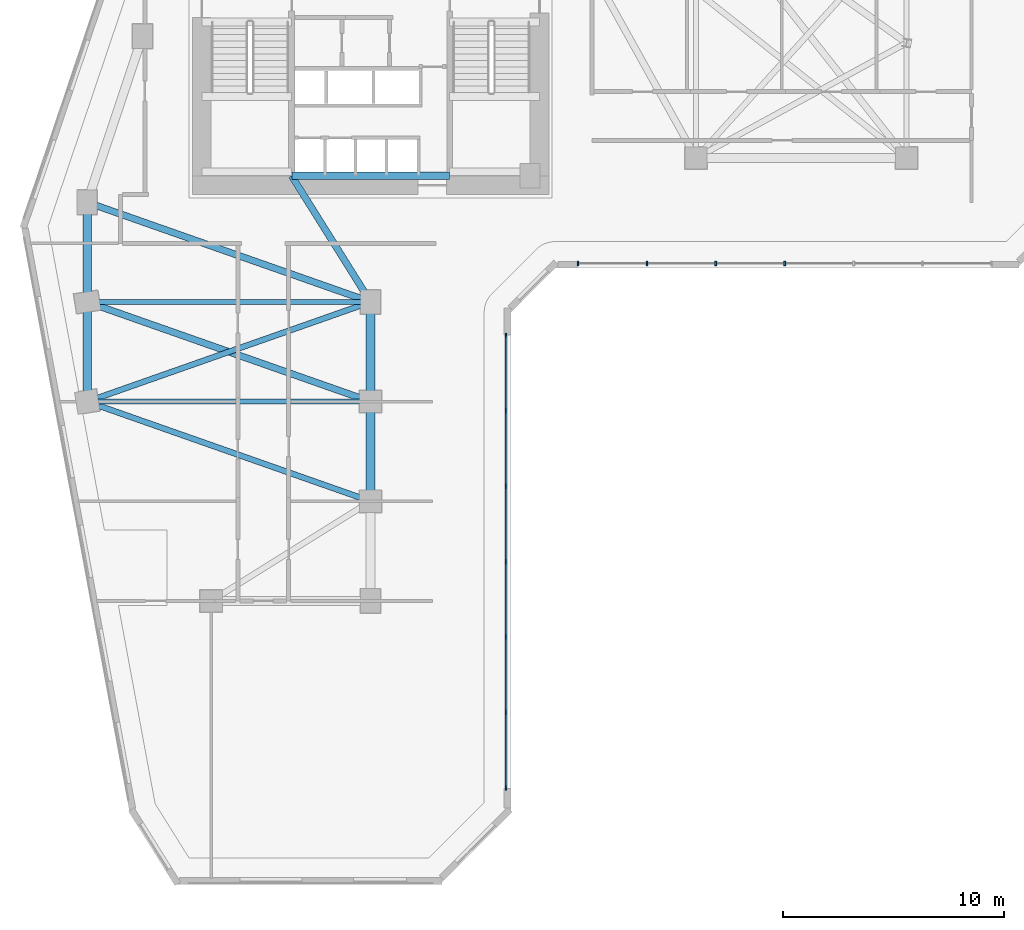
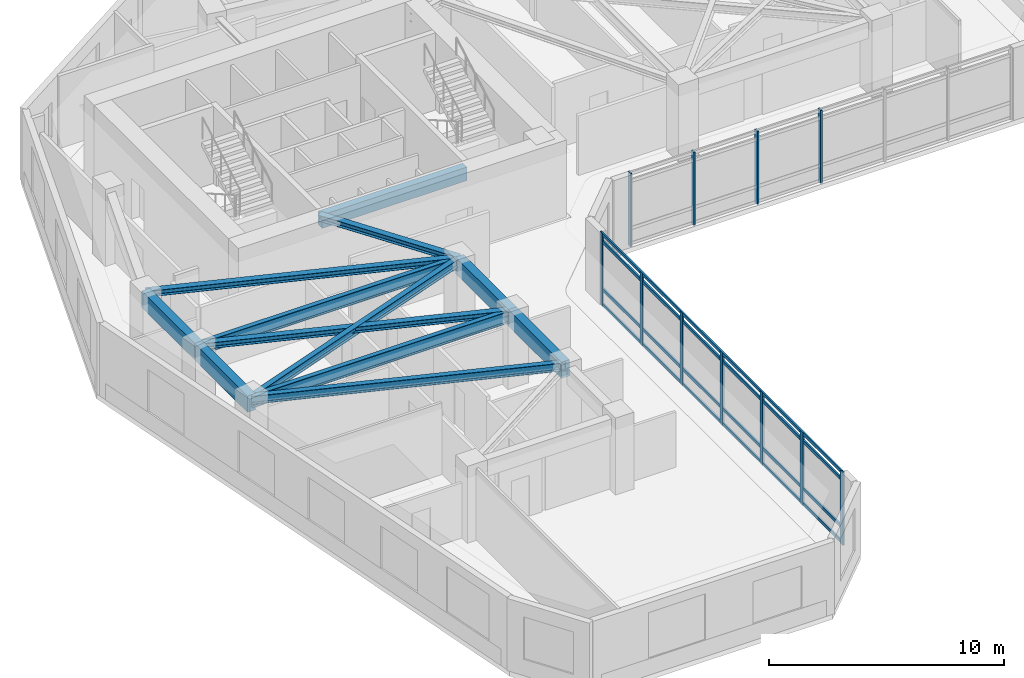
# One storey, part 2 of 11: 15 members, 12 beams, 2 elements without a shape of their own.
"""IFC4 building model written with IfcOpenShell, lengths in metres."""

from ifc_helpers import new_model, si_unit, direction, frame, origin, origin_2d, place, context, subcontext, project, spatial, rectangle, i_section, extrude, source, transform, mapped, material, material_profile, profile_set, type_object, element, aggregate, save


model = new_model("IFC4")

# Units and contexts
model_context = context("Model", 3, precision=1e-05, world=origin(), true_north=direction((0.0, 1.0)))
body_context = subcontext(model_context, "Body", "Model", "MODEL_VIEW")
ifc_project = project(units=[si_unit("LENGTHUNIT", "METRE"), si_unit("AREAUNIT", "SQUARE_METRE"), si_unit("VOLUMEUNIT", "CUBIC_METRE"), si_unit("PLANEANGLEUNIT", "RADIAN"), si_unit("MASSUNIT", "GRAM", prefix="KILO")], contexts=[model_context])

# Site, building, storey
site_placement = place(None, origin())
site = spatial("IfcSite", under=ifc_project, at=site_placement, CompositionType="ELEMENT")
building_placement = place(site_placement, origin())
building = spatial("IfcBuilding", under=site, at=building_placement, Name="Calvemar Wedge Station Tower", CompositionType="ELEMENT")
storey_placement = place(building_placement, frame((0.0, 0.0, 83.0)))
storey = spatial("IfcBuildingStorey", under=building, at=storey_placement, Name="L20", CompositionType="ELEMENT", Elevation=83.0)

# Beams
ifc_material_1 = material(Name="Concrete C60", Category="concrete")
ifc_material_profile_1 = material_profile(ifc_material_1, rectangle(XDim=0.39990234375, YDim=0.85009765625, at=origin_2d()), Name="RC400x850")
ifc_profile_set_1 = profile_set([ifc_material_profile_1], Name="Concrete C60")
beam_type_1 = type_object("IfcBeamType", Name="BM-SP1-850", PredefinedType="SPANDREL", material=ifc_profile_set_1)
shared_shape_1 = source(origin(), body_context, "Body", "SweptSolid", [
    extrude(rectangle(XDim=0.39990234375, YDim=0.85009765625, at=origin_2d()), origin(), (0.0, 0.0, 1.0), 4.5),
])
for number, where, z_axis, x_axis, name in (
    (1, (11.0, 33.0, 3.324951171875), (0.0, -1.0, 0.0), (1.0, 0.0, 0.0), "Storey L20 Spandrel T-NW1-T-SW1"),
    (2, (11.0, 28.5, 3.324951171875), (0.0, -1.0, 0.0), (1.0, 0.0, 0.0), "Storey L20 Spandrel T-SW1-T-SW2"),
    (3, (23.800048828125, 28.5, 3.324951171875), (0.0, -1.0, 0.0), (1.0, 0.0, 0.0), "Storey L20 Spandrel T-SE1-T-SE2"),
    (4, (23.800048828125, 24.0, 3.324951171875), (0.0, -1.0, 0.0), (1.0, 0.0, 0.0), "Storey L20 Spandrel T-SE2-T-SE3"),
):
    element("IfcBeam", number, at=place(storey_placement, frame(where, z_axis=z_axis, x_axis=x_axis)), inside=storey, type_object=beam_type_1, Name=name, PredefinedType="SPANDREL", context=body_context, shape_type="MappedRepresentation", body=[
        mapped(shared_shape_1, transform((0.0, 0.0, 0.0), scale=1.0)),
    ])
ifc_material_2 = material(Name="Structural steel ASTM A572 Grade 50", Category="steel")
ifc_material_profile_2 = material_profile(ifc_material_2, i_section(OverallWidth=0.22998046875, OverallDepth=0.616943359375, WebThickness=0.01318359375, FlangeThickness=0.022216796875, FilletRadius=0.012939453125, at=origin_2d()), Name="W610x140")
ifc_profile_set_2 = profile_set([ifc_material_profile_2], Name="Structural steel ASTM A572 Grade 50")
beam_type_2 = type_object("IfcBeamType", Name="BM-SB2-W610", PredefinedType="BEAM", material=ifc_profile_set_2)
shared_shape_2 = source(origin(), body_context, "Body", "SweptSolid", [
    extrude(i_section(OverallWidth=0.22998046875, OverallDepth=0.616943359375, WebThickness=0.01318359375, FlangeThickness=0.022216796875, FilletRadius=0.012939453125, at=origin_2d()), origin(), (0.0, 0.0, 1.0), 12.800048828125),
])
for number, where, z_axis, x_axis, name in (
    (5, (11.0, 28.5, 3.44140625), (1.0, 0.0, 0.0), (0.0, 1.0, 0.0), "Storey L20 Floor Beam T-SW1-T-SE1"),
    (6, (11.0, 24.0, 3.44140625), (1.0, 0.0, 0.0), (0.0, 1.0, 0.0), "Storey L20 Floor Beam T-SW2-T-SE2"),
):
    element("IfcBeam", number, at=place(storey_placement, frame(where, z_axis=z_axis, x_axis=x_axis)), inside=storey, type_object=beam_type_2, Name=name, PredefinedType="BEAM", context=body_context, shape_type="MappedRepresentation", body=[
        mapped(shared_shape_2, transform((0.0, 0.0, 0.0), scale=1.0)),
    ])
ifc_material_3 = material(Name="Concrete C70", Category="concrete")
ifc_material_profile_3 = material_profile(ifc_material_3, rectangle(XDim=0.35009765625, YDim=0.699951171875, at=origin_2d()), Name="RC350x700")
ifc_profile_set_3 = profile_set([ifc_material_profile_3], Name="Concrete C70")
beam_type_3 = type_object("IfcBeamType", Name="BM-LN1-700", PredefinedType="LINTEL", material=ifc_profile_set_3)
shared_shape_3 = source(origin(), body_context, "Body", "SweptSolid", [
    extrude(rectangle(XDim=0.35009765625, YDim=0.699951171875, at=origin_2d()), origin(), (0.0, 0.0, 1.0), 7.10009765625),
])
beam_1_placement = place(storey_placement, frame((20.25, 34.199951171875, 3.39990234375), z_axis=(1.0, 0.0, 0.0), x_axis=(0.0, 1.0, 0.0)))
element("IfcBeam", 7, at=beam_1_placement, inside=storey, type_object=beam_type_3, Name="Storey L20 Core Coupling Lintel South", PredefinedType="LINTEL", context=body_context, shape_type="MappedRepresentation", body=[
    mapped(shared_shape_3, transform((0.0, 0.0, 0.0), scale=1.0)),
])
ifc_material_profile_4 = material_profile(ifc_material_2, i_section(OverallWidth=0.304931640625, OverallDepth=0.30810546875, WebThickness=0.010009765625, FlangeThickness=0.015380859375, FilletRadius=0.014892578125, at=origin_2d()), Name="W310x97")
ifc_profile_set_4 = profile_set([ifc_material_profile_4], Name="Structural steel ASTM A572 Grade 50")
beam_type_4 = type_object("IfcBeamType", Name="BM-J6-W310", PredefinedType="JOIST", material=ifc_profile_set_4)
shared_shape_4 = source(origin(), body_context, "Body", "SweptSolid", [
    extrude(i_section(OverallWidth=0.304931640625, OverallDepth=0.30810546875, WebThickness=0.010009765625, FlangeThickness=0.015380859375, FilletRadius=0.014892578125, at=origin_2d()), origin(), (0.0, 0.0, 1.0), 13.568115234375),
])
for number, where, z_axis, x_axis, name in (
    (8, (11.0, 33.0, 3.595947265625), (0.943398221169, -0.331662171939, 0.0), (0.331662171939, 0.943398221169, 0.0), "Storey L20 Floor Beam T-NW1-T-SE1"),
    (9, (11.0, 28.5, 3.595947265625), (0.943398221169, -0.331662171939, 0.0), (0.331662171939, 0.943398221169, 0.0), "Storey L20 Floor Beam T-SW1-T-SE2"),
):
    element("IfcBeam", number, at=place(storey_placement, frame(where, z_axis=z_axis, x_axis=x_axis)), inside=storey, type_object=beam_type_4, Name=name, PredefinedType="JOIST", context=body_context, shape_type="MappedRepresentation", body=[
        mapped(shared_shape_4, transform((0.0, 0.0, 0.0), scale=1.0)),
    ])
ifc_material_profile_5 = material_profile(ifc_material_2, i_section(OverallWidth=0.260986328125, OverallDepth=0.419921875, WebThickness=0.01171875, FlangeThickness=0.019287109375, FilletRadius=0.012939453125, at=origin_2d()), Name="W410x114")
ifc_profile_set_5 = profile_set([ifc_material_profile_5], Name="Structural steel ASTM A572 Grade 50")
beam_type_5 = type_object("IfcBeamType", Name="BM-J2-W410H", PredefinedType="JOIST", material=ifc_profile_set_5)
shared_shape_5 = source(origin(), body_context, "Body", "SweptSolid", [
    extrude(i_section(OverallWidth=0.260986328125, OverallDepth=0.419921875, WebThickness=0.01171875, FlangeThickness=0.019287109375, FilletRadius=0.012939453125, at=origin_2d()), origin(), (0.0, 0.0, 1.0), 13.568115234375),
])
for number, where, z_axis, x_axis, name in (
    (10, (23.800048828125, 28.5, 3.5400390625), (-0.943398221169, -0.331662171939, 0.0), (0.331662171939, -0.943398221169, 0.0), "Storey L20 Floor Beam T-SE1-T-SW2"),
    (11, (11.0, 24.0, 3.5400390625), (0.943398221169, -0.331662171939, 0.0), (0.331662171939, 0.943398221169, 0.0), "Storey L20 Floor Beam T-SW2-T-SE3"),
):
    element("IfcBeam", number, at=place(storey_placement, frame(where, z_axis=z_axis, x_axis=x_axis)), inside=storey, type_object=beam_type_5, Name=name, PredefinedType="JOIST", context=body_context, shape_type="MappedRepresentation", body=[
        mapped(shared_shape_5, transform((0.0, 0.0, 0.0), scale=1.0)),
    ])
shared_shape_6 = source(origin(), body_context, "Body", "SweptSolid", [
    extrude(i_section(OverallWidth=0.304931640625, OverallDepth=0.30810546875, WebThickness=0.010009765625, FlangeThickness=0.015380859375, FilletRadius=0.014892578125, at=origin_2d()), origin(), (0.0, 0.0, 1.0), 6.7255859375),
])
beam_2_placement = place(storey_placement, frame((20.22998046875, 34.199951171875, 3.595947265625), z_axis=(0.530811158438, -0.847490126242, 0.0), x_axis=(0.847490126242, 0.530811158438, 0.0)))
element("IfcBeam", 12, at=beam_2_placement, inside=storey, type_object=beam_type_4, Name="Storey L20 Core-to-Column Joist CJ-S2", PredefinedType="JOIST", context=body_context, shape_type="MappedRepresentation", body=[
    mapped(shared_shape_6, transform((0.0, 0.0, 0.0), scale=1.0)),
])

# Curtain wall, members
ifc_material_4 = material(Name="Anodised aluminium 6063-T6", Category="aluminium")
curtain_wall_type = type_object("IfcCurtainWallType", Name="CW1", PredefinedType="NOTDEFINED", material=ifc_material_4)
curtain_wall_1_placement = place(storey_placement, origin())
curtain_wall_1 = element("IfcCurtainWall", 13, at=curtain_wall_1_placement, inside=storey, type_object=curtain_wall_type, Name="Storey L20 CW1 Recessed Unitised Curtain Wall 4", PredefinedType="NOTDEFINED")
ifc_material_profile_6 = material_profile(ifc_material_4, rectangle(XDim=0.080078125, YDim=0.219970703125, at=origin_2d()), Name="AL-MUL-80x220")
ifc_profile_set_6 = profile_set([ifc_material_profile_6], Name="Anodised aluminium 6063-T6")
member_type_1 = type_object("IfcMemberType", Name="CW1-MUL", PredefinedType="MULLION", material=ifc_profile_set_6)
shared_shape_7 = source(origin(), body_context, "Body", "SweptSolid", [
    extrude(rectangle(XDim=0.080078125, YDim=0.219970703125, at=origin_2d()), origin(), (0.0, 0.0, 1.0), 3.800048828125),
])
member_1_placement = place(storey_placement, frame((29.91796875, 6.56201171875, -0.050048828125), z_axis=(0.0, 0.0, 1.0), x_axis=(1.0, 0.0, 0.0)))
member_1 = element("IfcMember", 14, at=member_1_placement, type_object=member_type_1, Name="CW1 mullion 1", PredefinedType="MULLION", context=body_context, shape_type="MappedRepresentation", body=[
    mapped(shared_shape_7, transform((0.0, 0.0, 0.0), scale=1.0)),
])
member_2_placement = place(storey_placement, frame((29.91796875, 9.966796875, -0.050048828125), z_axis=(0.0, 0.0, 1.0), x_axis=(1.0, 0.0, 0.0)))
member_2 = element("IfcMember", 15, at=member_2_placement, type_object=member_type_1, Name="CW1 mullion 2", PredefinedType="MULLION", context=body_context, shape_type="MappedRepresentation", body=[
    mapped(shared_shape_7, transform((0.0, 0.0, 0.0), scale=1.0)),
])
member_3_placement = place(storey_placement, frame((29.91796875, 13.371337890625, -0.050048828125), z_axis=(0.0, 0.0, 1.0), x_axis=(1.0, 0.0, 0.0)))
member_3 = element("IfcMember", 16, at=member_3_placement, type_object=member_type_1, Name="CW1 mullion 3", PredefinedType="MULLION", context=body_context, shape_type="MappedRepresentation", body=[
    mapped(shared_shape_7, transform((0.0, 0.0, 0.0), scale=1.0)),
])
member_4_placement = place(storey_placement, frame((29.91796875, 16.776123046875, -0.050048828125), z_axis=(0.0, 0.0, 1.0), x_axis=(1.0, 0.0, 0.0)))
member_4 = element("IfcMember", 17, at=member_4_placement, type_object=member_type_1, Name="CW1 mullion 4", PredefinedType="MULLION", context=body_context, shape_type="MappedRepresentation", body=[
    mapped(shared_shape_7, transform((0.0, 0.0, 0.0), scale=1.0)),
])
member_5_placement = place(storey_placement, frame((29.91796875, 20.180908203125, -0.050048828125), z_axis=(0.0, 0.0, 1.0), x_axis=(1.0, 0.0, 0.0)))
member_5 = element("IfcMember", 18, at=member_5_placement, type_object=member_type_1, Name="CW1 mullion 5", PredefinedType="MULLION", context=body_context, shape_type="MappedRepresentation", body=[
    mapped(shared_shape_7, transform((0.0, 0.0, 0.0), scale=1.0)),
])
member_6_placement = place(storey_placement, frame((29.91796875, 23.58544921875, -0.050048828125), z_axis=(0.0, 0.0, 1.0), x_axis=(1.0, 0.0, 0.0)))
member_6 = element("IfcMember", 19, at=member_6_placement, type_object=member_type_1, Name="CW1 mullion 6", PredefinedType="MULLION", context=body_context, shape_type="MappedRepresentation", body=[
    mapped(shared_shape_7, transform((0.0, 0.0, 0.0), scale=1.0)),
])
member_7_placement = place(storey_placement, frame((29.91796875, 26.989990234375, -0.050048828125), z_axis=(0.0, 0.0, 1.0), x_axis=(1.0, 0.0, 0.0)))
member_7 = element("IfcMember", 20, at=member_7_placement, type_object=member_type_1, Name="CW1 mullion 7", PredefinedType="MULLION", context=body_context, shape_type="MappedRepresentation", body=[
    mapped(shared_shape_7, transform((0.0, 0.0, 0.0), scale=1.0)),
])

curtain_wall_2_placement = place(storey_placement, origin())
curtain_wall_2 = element("IfcCurtainWall", 21, at=curtain_wall_2_placement, inside=storey, type_object=curtain_wall_type, Name="Storey L20 CW1 Recessed Unitised Curtain Wall 6", PredefinedType="NOTDEFINED")
member_8_placement = place(storey_placement, frame((33.166015625, 30.238037109375, -0.050048828125), z_axis=(0.0, 0.0, 1.0), x_axis=(1.0, 0.0, 0.0)))
member_8 = element("IfcMember", 22, at=member_8_placement, type_object=member_type_1, Name="CW1 mullion 1", PredefinedType="MULLION", context=body_context, shape_type="MappedRepresentation", body=[
    mapped(shared_shape_7, transform((0.0, 0.0, 0.0), scale=1.0)),
])
member_9_placement = place(storey_placement, frame((36.27783203125, 30.238037109375, -0.050048828125), z_axis=(0.0, 0.0, 1.0), x_axis=(1.0, 0.0, 0.0)))
member_9 = element("IfcMember", 23, at=member_9_placement, type_object=member_type_1, Name="CW1 mullion 2", PredefinedType="MULLION", context=body_context, shape_type="MappedRepresentation", body=[
    mapped(shared_shape_7, transform((0.0, 0.0, 0.0), scale=1.0)),
])
member_10_placement = place(storey_placement, frame((39.389892578125, 30.238037109375, -0.050048828125), z_axis=(0.0, 0.0, 1.0), x_axis=(1.0, 0.0, 0.0)))
member_10 = element("IfcMember", 24, at=member_10_placement, type_object=member_type_1, Name="CW1 mullion 3", PredefinedType="MULLION", context=body_context, shape_type="MappedRepresentation", body=[
    mapped(shared_shape_7, transform((0.0, 0.0, 0.0), scale=1.0)),
])
member_11_placement = place(storey_placement, frame((42.501953125, 30.238037109375, -0.050048828125), z_axis=(0.0, 0.0, 1.0), x_axis=(1.0, 0.0, 0.0)))
member_11 = element("IfcMember", 25, at=member_11_placement, type_object=member_type_1, Name="CW1 mullion 4", PredefinedType="MULLION", context=body_context, shape_type="MappedRepresentation", body=[
    mapped(shared_shape_7, transform((0.0, 0.0, 0.0), scale=1.0)),
])
aggregate(curtain_wall_2, [member_8, member_9, member_10, member_11])

# Member
ifc_material_profile_7 = material_profile(ifc_material_4, rectangle(XDim=0.080078125, YDim=0.159912109375, at=origin_2d()), Name="AL-TRN-80x160")
ifc_profile_set_7 = profile_set([ifc_material_profile_7], Name="Anodised aluminium 6063-T6")
member_type_2 = type_object("IfcMemberType", Name="CW1-TRN", PredefinedType="USERDEFINED", material=ifc_profile_set_7)
shared_shape_8 = source(origin(), body_context, "Body", "SweptSolid", [
    extrude(rectangle(XDim=0.080078125, YDim=0.159912109375, at=origin_2d()), origin(), (0.0, 0.0, 1.0), 20.427978515625),
])
member_12_placement = place(storey_placement, frame((29.91796875, 6.56201171875, 0.06005859375), z_axis=(0.0, 1.0, 0.0), x_axis=(-1.0, 0.0, 0.0)))
member_12 = element("IfcMember", 26, at=member_12_placement, type_object=member_type_2, Name="CW1 transom 1", ObjectType="TRANSOM", PredefinedType="USERDEFINED", context=body_context, shape_type="MappedRepresentation", body=[
    mapped(shared_shape_8, transform((0.0, 0.0, 0.0), scale=1.0)),
])

member_13_placement = place(storey_placement, frame((29.91796875, 6.56201171875, 0.85009765625), z_axis=(0.0, 1.0, 0.0), x_axis=(-1.0, 0.0, 0.0)))
member_13 = element("IfcMember", 27, at=member_13_placement, type_object=member_type_2, Name="CW1 transom 2", ObjectType="TRANSOM", PredefinedType="USERDEFINED", context=body_context, shape_type="MappedRepresentation", body=[
    mapped(shared_shape_8, transform((0.0, 0.0, 0.0), scale=1.0)),
])

member_14_placement = place(storey_placement, frame((29.91796875, 6.56201171875, 3.300048828125), z_axis=(0.0, 1.0, 0.0), x_axis=(-1.0, 0.0, 0.0)))
member_14 = element("IfcMember", 28, at=member_14_placement, type_object=member_type_2, Name="CW1 transom 3", ObjectType="TRANSOM", PredefinedType="USERDEFINED", context=body_context, shape_type="MappedRepresentation", body=[
    mapped(shared_shape_8, transform((0.0, 0.0, 0.0), scale=1.0)),
])

member_15_placement = place(storey_placement, frame((29.91796875, 6.56201171875, 3.68994140625), z_axis=(0.0, 1.0, 0.0), x_axis=(-1.0, 0.0, 0.0)))
member_15 = element("IfcMember", 29, at=member_15_placement, type_object=member_type_2, Name="CW1 transom 4", ObjectType="TRANSOM", PredefinedType="USERDEFINED", context=body_context, shape_type="MappedRepresentation", body=[
    mapped(shared_shape_8, transform((0.0, 0.0, 0.0), scale=1.0)),
])

aggregate(curtain_wall_1, [member_1, member_2, member_3, member_4, member_5, member_6, member_7, member_12, member_13, member_14, member_15])

save(model, "model.ifc")
